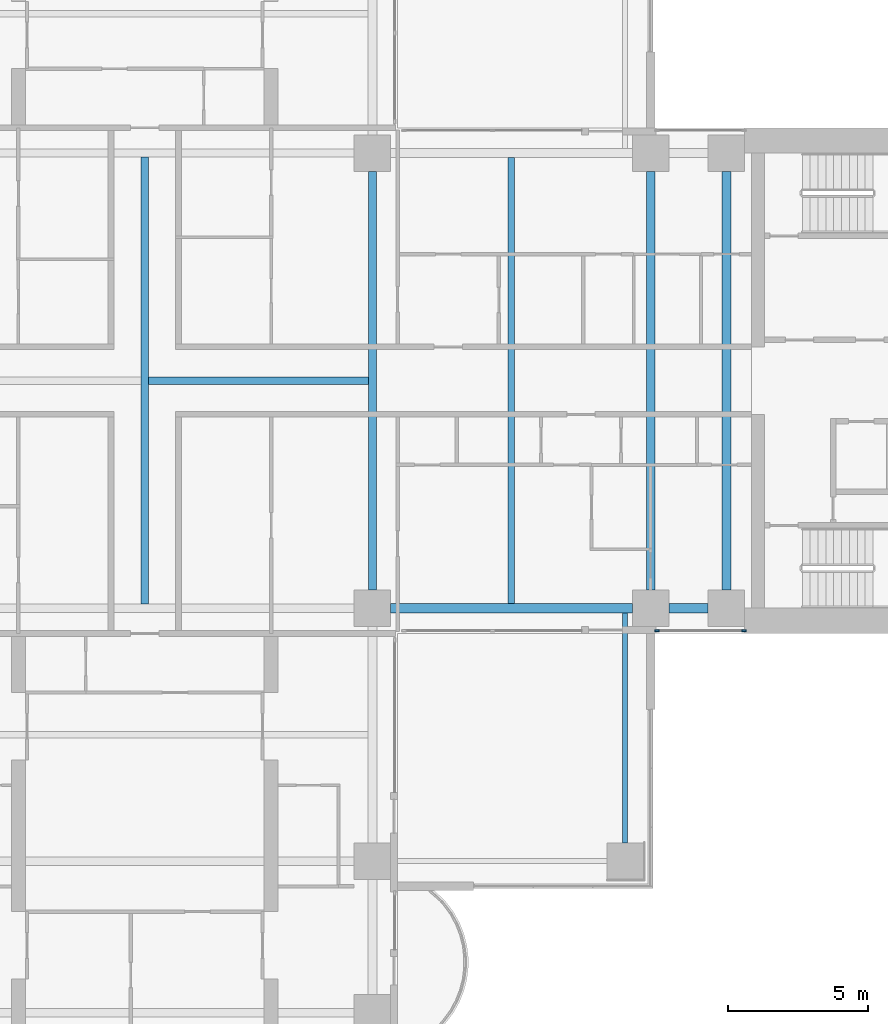
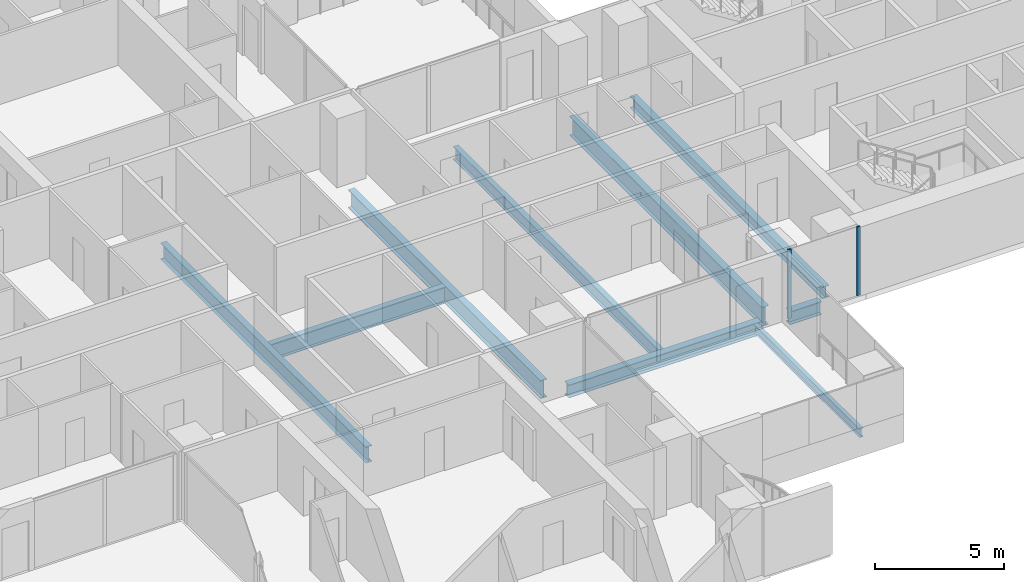
# One storey, part 4 of 21: 9 beams, 2 members, 1 element without a shape of its own.
"""IFC4 building model written with IfcOpenShell, lengths in metres."""

from ifc_helpers import new_model, si_unit, direction, frame, origin, origin_2d, place, context, subcontext, project, spatial, rectangle, i_section, extrude, material, material_profile, profile_set, type_object, element, aggregate, save


model = new_model("IFC4")

# Units and contexts
model_context = context("Model", 3, precision=1e-05, world=origin(), true_north=direction((0.0, 1.0)))
body_context = subcontext(model_context, "Body", "Model", "MODEL_VIEW")
ifc_project = project(units=[si_unit("LENGTHUNIT", "METRE"), si_unit("AREAUNIT", "SQUARE_METRE"), si_unit("VOLUMEUNIT", "CUBIC_METRE"), si_unit("PLANEANGLEUNIT", "RADIAN"), si_unit("MASSUNIT", "GRAM", prefix="KILO")], contexts=[model_context])

# Site, building, storey
site_placement = place(None, origin())
site = spatial("IfcSite", under=ifc_project, at=site_placement, CompositionType="ELEMENT")
building_placement = place(site_placement, origin())
building = spatial("IfcBuilding", under=site, at=building_placement, Name="Perihelion Cross Residences", CompositionType="ELEMENT")
storey_placement = place(building_placement, frame((0.0, 0.0, 57.5)))
storey = spatial("IfcBuildingStorey", under=building, at=storey_placement, Name="L11", CompositionType="ELEMENT", Elevation=57.5)

# Curtain wall, members
ifc_material_1 = material(Name="Bronze anodised aluminium, tinted glazing", Category="aluminium")
curtain_wall_type = type_object("IfcCurtainWallType", Name="CW1", PredefinedType="NOTDEFINED", material=ifc_material_1)
curtain_wall_placement = place(storey_placement, origin())
curtain_wall = element("IfcCurtainWall", 1, at=curtain_wall_placement, inside=storey, type_object=curtain_wall_type, Name="Curtain wall CW1 L11 east side south bay 2", PredefinedType="NOTDEFINED")
ifc_material_2 = material(Name="Bronze anodised aluminium", Category="aluminium")
ifc_material_profile_1 = material_profile(ifc_material_2, rectangle(XDim=0.06005859375, YDim=0.159912109375, at=origin_2d()), Name="CW1 mullion")
ifc_profile_set_1 = profile_set([ifc_material_profile_1], Name="Bronze anodised aluminium")
member_type = type_object("IfcMemberType", Name="CW1 mullion", PredefinedType="MULLION", material=ifc_profile_set_1)
member_1_placement = place(storey_placement, frame((18.22998046875, -8.89990234375, 0.0), z_axis=(0.0, 0.0, 1.0), x_axis=(0.0, 1.0, 0.0)))
member_1 = element("IfcMember", 2, at=member_1_placement, type_object=member_type, Name="CW1 mullion 1", PredefinedType="MULLION", context=body_context, shape_type="SweptSolid", body=[
    extrude(rectangle(XDim=0.06005859375, YDim=0.159912109375, at=origin_2d()), origin(), (0.0, 0.0, 1.0), 3.25),
])
member_2_placement = place(storey_placement, frame((21.320068359375, -8.89990234375, 0.0), z_axis=(0.0, 0.0, 1.0), x_axis=(0.0, 1.0, 0.0)))
member_2 = element("IfcMember", 3, at=member_2_placement, type_object=member_type, Name="CW1 mullion 2", PredefinedType="MULLION", context=body_context, shape_type="SweptSolid", body=[
    extrude(rectangle(XDim=0.06005859375, YDim=0.159912109375, at=origin_2d()), origin(), (0.0, 0.0, 1.0), 3.25),
])
aggregate(curtain_wall, [member_1, member_2])

# Beams
ifc_material_3 = material(Name="Steel S355", Category="steel")
ifc_material_profile_2 = material_profile(ifc_material_3, i_section(OverallWidth=0.177978515625, OverallDepth=0.406005859375, WebThickness=0.0078125, FlangeThickness=0.0126953125, at=origin_2d()), Name="W410x60")
ifc_profile_set_2 = profile_set([ifc_material_profile_2], Name="Steel S355")
beam_type_1 = type_object("IfcBeamType", Name="Core edge beam W410x60", PredefinedType="BEAM", material=ifc_profile_set_2)
beam_1_placement = place(storey_placement, frame((17.10009765625, -8.262451171875, -0.452880859375), z_axis=(0.0, -1.0, 0.0), x_axis=(1.0, 0.0, 0.0)))
element("IfcBeam", 4, at=beam_1_placement, inside=storey, type_object=beam_type_1, Name="Core edge beam TB2 L11 corner no. 5", PredefinedType="BEAM", context=body_context, shape_type="SweptSolid", body=[
    extrude(i_section(OverallWidth=0.177978515625, OverallDepth=0.406005859375, WebThickness=0.0078125, FlangeThickness=0.0126953125, at=origin_2d()), origin(), (0.0, 0.0, 1.0), 8.1875),
])
ifc_material_4 = material(Name="Steel S355", Category="steel")
ifc_material_profile_3 = material_profile(ifc_material_4, i_section(OverallWidth=0.31201171875, OverallDepth=0.5439453125, WebThickness=0.0126953125, FlangeThickness=0.020263671875, at=origin_2d()), Name="W530x150")
ifc_profile_set_3 = profile_set([ifc_material_profile_3], Name="Steel S355")
beam_type_2 = type_object("IfcBeamType", Name="Core edge beam W530x150", PredefinedType="BEAM", material=ifc_profile_set_3)
beam_2_placement = place(storey_placement, frame((20.699951171875, -7.449951171875, -0.52197265625), z_axis=(0.0, 1.0, 0.0), x_axis=(-1.0, 0.0, 0.0)))
element("IfcBeam", 5, at=beam_2_placement, inside=storey, type_object=beam_type_2, Name="Core edge beam TB4 L11 no. 2", PredefinedType="BEAM", context=body_context, shape_type="SweptSolid", body=[
    extrude(i_section(OverallWidth=0.31201171875, OverallDepth=0.5439453125, WebThickness=0.0126953125, FlangeThickness=0.020263671875, at=origin_2d()), origin(), (0.0, 0.0, 1.0), 14.89990234375),
])
ifc_material_5 = material(Name="Steel S355", Category="steel")
ifc_material_profile_4 = material_profile(ifc_material_5, i_section(OverallWidth=0.324951171875, OverallDepth=0.616943359375, WebThickness=0.013916015625, FlangeThickness=0.021484375, at=origin_2d()), Name="W610x174")
ifc_profile_set_4 = profile_set([ifc_material_profile_4], Name="Steel S355")
beam_type_3 = type_object("IfcBeamType", Name="Edge beam W610x174", PredefinedType="SPANDREL", material=ifc_profile_set_4)
beam_3_placement = place(storey_placement, frame((8.75, -8.10009765625, -0.55859375), z_axis=(1.0, 0.0, 0.0), x_axis=(0.0, 1.0, 0.0)))
element("IfcBeam", 6, at=beam_3_placement, inside=storey, type_object=beam_type_3, Name="Edge beam SB2 L11 no. 18", PredefinedType="SPANDREL", context=body_context, shape_type="SweptSolid", body=[
    extrude(i_section(OverallWidth=0.324951171875, OverallDepth=0.616943359375, WebThickness=0.013916015625, FlangeThickness=0.021484375, at=origin_2d()), origin(), (0.0, 0.0, 1.0), 8.60009765625),
])
beam_4_placement = place(storey_placement, frame((18.64990234375, -8.10009765625, -0.55859375), z_axis=(1.0, 0.0, 0.0), x_axis=(0.0, 1.0, 0.0)))
element("IfcBeam", 7, at=beam_4_placement, inside=storey, type_object=beam_type_3, Name="Edge beam SB2 L11 no. 12", PredefinedType="SPANDREL", context=body_context, shape_type="SweptSolid", body=[
    extrude(i_section(OverallWidth=0.324951171875, OverallDepth=0.616943359375, WebThickness=0.013916015625, FlangeThickness=0.021484375, at=origin_2d()), origin(), (0.0, 0.0, 1.0), 1.400146484375),
])
ifc_material_6 = material(Name="Steel S355", Category="steel")
ifc_material_profile_5 = material_profile(ifc_material_6, i_section(OverallWidth=0.304931640625, OverallDepth=0.904052734375, WebThickness=0.01513671875, FlangeThickness=0.02001953125, at=origin_2d()), Name="W920x201")
ifc_profile_set_5 = profile_set([ifc_material_profile_5], Name="Steel S355")
beam_type_4 = type_object("IfcBeamType", Name="Floor girder W920x201", PredefinedType="BEAM", material=ifc_profile_set_5)
beam_5_placement = place(storey_placement, frame((18.0, -7.449951171875, -0.701904296875), z_axis=(0.0, 1.0, 0.0), x_axis=(-1.0, 0.0, 0.0)))
element("IfcBeam", 8, at=beam_5_placement, inside=storey, type_object=beam_type_4, Name="Girder G2 L11 no. 2", PredefinedType="BEAM", context=body_context, shape_type="SweptSolid", body=[
    extrude(i_section(OverallWidth=0.304931640625, OverallDepth=0.904052734375, WebThickness=0.01513671875, FlangeThickness=0.02001953125, at=origin_2d()), origin(), (0.0, 0.0, 1.0), 14.89990234375),
])
ifc_material_7 = material(Name="Steel S355", Category="steel")
ifc_material_profile_6 = material_profile(ifc_material_7, i_section(OverallWidth=0.22900390625, OverallDepth=0.612060546875, WebThickness=0.011962890625, FlangeThickness=0.01953125, at=origin_2d()), Name="W610x125")
ifc_profile_set_6 = profile_set([ifc_material_profile_6], Name="Steel S355")
beam_type_5 = type_object("IfcBeamType", Name="Floor joist W610x125", PredefinedType="JOIST", material=ifc_profile_set_6)
beam_6_placement = place(storey_placement, frame((13.050048828125, -7.9375, -0.555908203125), z_axis=(0.0, 1.0, 0.0), x_axis=(-1.0, 0.0, 0.0)))
element("IfcBeam", 9, at=beam_6_placement, inside=storey, type_object=beam_type_5, Name="Joist J3 L11 no. 2", PredefinedType="JOIST", context=body_context, shape_type="SweptSolid", body=[
    extrude(i_section(OverallWidth=0.22900390625, OverallDepth=0.612060546875, WebThickness=0.011962890625, FlangeThickness=0.01953125, at=origin_2d()), origin(), (0.0, 0.0, 1.0), 15.875),
])
ifc_material_8 = material(Name="Steel S355", Category="steel")
ifc_material_profile_7 = material_profile(ifc_material_8, i_section(OverallWidth=0.26708984375, OverallDepth=0.77001953125, WebThickness=0.015625, FlangeThickness=0.025390625, at=origin_2d()), Name="W760x196")
ifc_profile_set_7 = profile_set([ifc_material_profile_7], Name="Steel S355")
beam_type_6 = type_object("IfcBeamType", Name="Hub cross beam W760x196", PredefinedType="BEAM", material=ifc_profile_set_7)
beam_7_placement = place(storey_placement, frame((0.0, -7.9541015625, -0.635009765625), z_axis=(0.0, 1.0, 0.0), x_axis=(-1.0, 0.0, 0.0)))
element("IfcBeam", 10, at=beam_7_placement, inside=storey, type_object=beam_type_6, Name="Hub cross beam XB2 L11 no. 1", PredefinedType="BEAM", context=body_context, shape_type="SweptSolid", body=[
    extrude(i_section(OverallWidth=0.26708984375, OverallDepth=0.77001953125, WebThickness=0.015625, FlangeThickness=0.025390625, at=origin_2d()), origin(), (0.0, 0.0, 1.0), 15.908203125),
])
beam_8_placement = place(storey_placement, frame((0.133544921875, 0.0, -0.635009765625), z_axis=(1.0, 0.0, 0.0), x_axis=(0.0, 1.0, 0.0)))
element("IfcBeam", 11, at=beam_8_placement, inside=storey, type_object=beam_type_6, Name="Hub cross beam XB2 L11 2 no. 1", PredefinedType="BEAM", context=body_context, shape_type="SweptSolid", body=[
    extrude(i_section(OverallWidth=0.26708984375, OverallDepth=0.77001953125, WebThickness=0.015625, FlangeThickness=0.025390625, at=origin_2d()), origin(), (0.0, 0.0, 1.0), 7.820556640625),
])
ifc_material_9 = material(Name="Steel S355", Category="steel")
ifc_material_profile_8 = material_profile(ifc_material_9, i_section(OverallWidth=0.2919921875, OverallDepth=0.85888671875, WebThickness=0.01708984375, FlangeThickness=0.031005859375, at=origin_2d()), Name="W840x251")
ifc_profile_set_8 = profile_set([ifc_material_profile_8], Name="Steel S355")
beam_type_7 = type_object("IfcBeamType", Name="Hub ring girder W840x251", PredefinedType="BEAM", material=ifc_profile_set_8)
beam_9_placement = place(storey_placement, frame((8.10009765625, -7.449951171875, -0.679443359375), z_axis=(0.0, 1.0, 0.0), x_axis=(-1.0, 0.0, 0.0)))
element("IfcBeam", 12, at=beam_9_placement, inside=storey, type_object=beam_type_7, Name="Hub ring girder RG2 L11 no. 3", PredefinedType="BEAM", context=body_context, shape_type="SweptSolid", body=[
    extrude(i_section(OverallWidth=0.2919921875, OverallDepth=0.85888671875, WebThickness=0.01708984375, FlangeThickness=0.031005859375, at=origin_2d()), origin(), (0.0, 0.0, 1.0), 14.89990234375),
])

save(model, "model.ifc")
